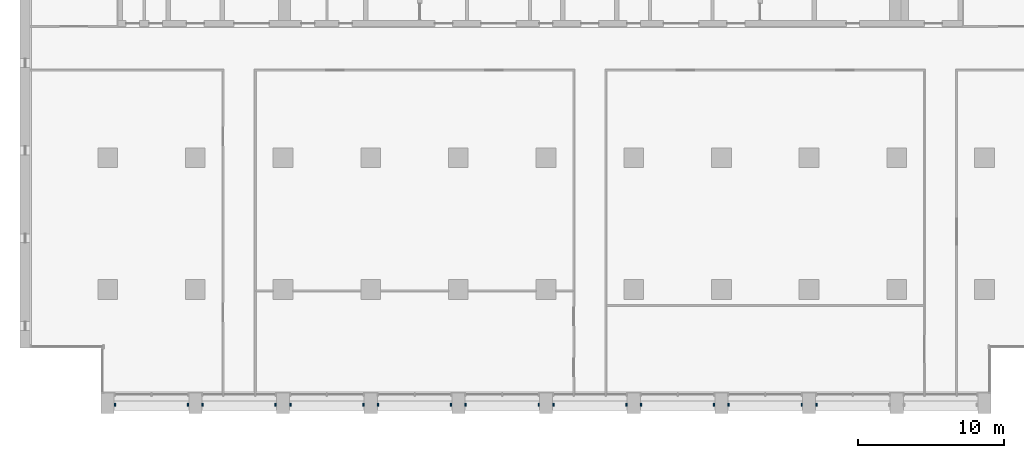
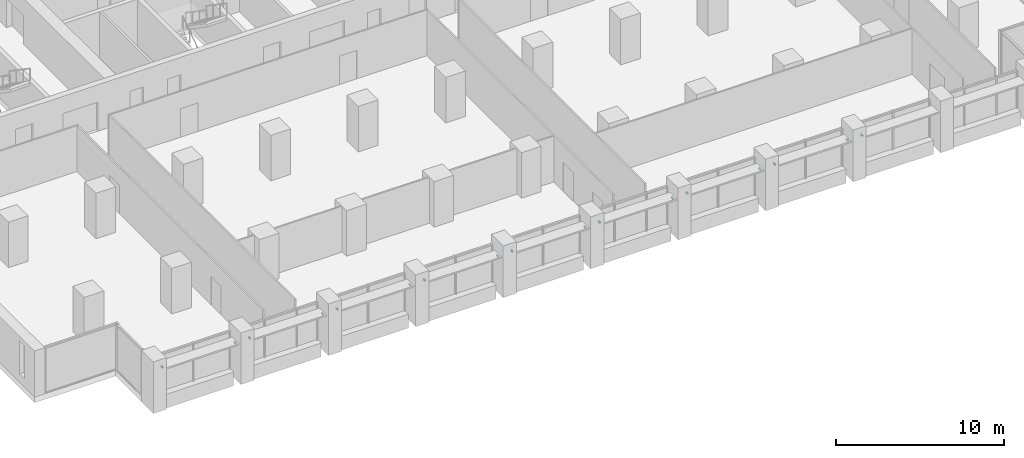
# One storey, part 13 of 15: 17 discrete accessories.
"""IFC4 building model written with IfcOpenShell, lengths in metres."""

import ifcopenshell
import ifcopenshell.guid

model = None  # the IFC model being written
_history = None  # IfcOwnerHistory: only IFC2X3 demands one
_inside = {}  # id of a spatial element -> (the spatial element, [elements in it])
_under = {}  # id of a project, library or spatial element -> (it, [spatial elements below it])
_declared = {}  # id of a project -> (the project, [libraries it declares])
_typed = {}  # id of a type object -> (the type object, [elements of that type])
_made_of = {}  # id of a material, layer set ... -> (it, [elements and type objects made of it])


def new_model(schema):
    """Start an empty IFC model of exactly this schema.

    Asked for "IFC4X3", IfcOpenShell would pick the latest addendum, in which some entities
    have other attributes; the version numbers below select the first issue.
    IFC2X3 requires an IfcOwnerHistory on every rooted entity: one is made here for all.
    """
    global model, _history
    if schema == "IFC4X3":
        model = ifcopenshell.file(schema_version=(4, 3, 0, 0))
    else:
        model = ifcopenshell.file(schema=schema)
    _inside.clear()
    _under.clear()
    _declared.clear()
    _typed.clear()
    _made_of.clear()
    _history = None
    if model.schema == "IFC2X3":
        org = make("IfcOrganization", Name="unknown")
        user = make(
            "IfcPersonAndOrganization",
            ThePerson=make("IfcPerson", FamilyName="unknown"),
            TheOrganization=org,
        )
        app = make(
            "IfcApplication",
            ApplicationDeveloper=org,
            Version="unknown",
            ApplicationFullName="unknown",
            ApplicationIdentifier="unknown",
        )
        _history = make(
            "IfcOwnerHistory",
            OwningUser=user,
            OwningApplication=app,
            ChangeAction="ADDED",
            CreationDate=0,
        )
    return model


def make(cls, **values):
    """One entity of the class cls with the attributes given. An attribute that is None is left unset."""
    return model.create_entity(
        cls, **{name: value for name, value in values.items() if value is not None}
    )


def rooted(cls, **values):
    """An entity with a GlobalId (a new one), such as an element, a storey or a relation."""
    return make(cls, GlobalId=ifcopenshell.guid.new(), OwnerHistory=_history, **values)


def si_unit(unit_type, name, prefix=None):
    """IfcSIUnit, for example si_unit("LENGTHUNIT", "METRE", prefix="MILLI")."""
    return make("IfcSIUnit", UnitType=unit_type, Prefix=prefix, Name=name)


def assignment(units):
    """IfcUnitAssignment: the units of a project."""
    return None if units is None else make("IfcUnitAssignment", Units=units)


def point(xyz):
    """IfcCartesianPoint."""
    return None if xyz is None else make("IfcCartesianPoint", Coordinates=xyz)


def direction(xyz):
    """IfcDirection."""
    return None if xyz is None else make("IfcDirection", DirectionRatios=xyz)


def frame(location, z_axis=None, x_axis=None):
    """IfcAxis2Placement3D, a coordinate frame: its origin and axes. An axis left out is left unset."""
    return make(
        "IfcAxis2Placement3D",
        Location=point(location),
        Axis=direction(z_axis),
        RefDirection=direction(x_axis),
    )


def frame_2d(location, x_axis=None):
    """IfcAxis2Placement2D, a coordinate frame in the plane: its origin and x axis."""
    return make(
        "IfcAxis2Placement2D", Location=point(location), RefDirection=direction(x_axis)
    )


def origin():
    """The frame at (0, 0, 0) with its axes left unset."""
    return frame((0.0, 0.0, 0.0))


def origin_2d():
    """The frame at (0, 0) in the plane with its x axis left unset."""
    return frame_2d((0.0, 0.0))


def place(relative_to, where):
    """IfcLocalPlacement: puts the frame where relative to a parent placement (None: the world)."""
    return make(
        "IfcLocalPlacement", PlacementRelTo=relative_to, RelativePlacement=where
    )


def context(
    kind, dimensions, precision=None, world=None, true_north=None, identifier=None
):
    """IfcGeometricRepresentationContext, for example the 3D "Model" context."""
    return make(
        "IfcGeometricRepresentationContext",
        ContextIdentifier=identifier,
        ContextType=kind,
        CoordinateSpaceDimension=dimensions,
        Precision=precision,
        WorldCoordinateSystem=world,
        TrueNorth=true_north,
    )


def subcontext(parent, identifier, kind, view, scale=None):
    """IfcGeometricRepresentationSubContext, for example "Body" below "Model"."""
    return make(
        "IfcGeometricRepresentationSubContext",
        ContextIdentifier=identifier,
        ContextType=kind,
        ParentContext=parent,
        TargetScale=scale,
        TargetView=view,
    )


def project(units=None, contexts=None):
    """IfcProject with its units and contexts."""
    return rooted(
        "IfcProject",
        Name="project",
        RepresentationContexts=contexts,
        UnitsInContext=assignment(units),
    )


def spatial(cls, under=None, at=None, **own):
    """A site, building, storey or space (cls), placed at a placement, below another one or the project."""
    s = rooted(cls, ObjectPlacement=at, **own)
    if under is not None:
        _under.setdefault(under.id(), (under, []))[1].append(s)
    return s


def profile(cls, at=None, kind="AREA", **sizes):
    """A parametric profile (cls). Its sizes go by their IFC names, for example OverallWidth=200.0."""
    return make(cls, ProfileType=kind, Position=at, **sizes)


def rectangle(**sizes):
    """IfcRectangleProfileDef."""
    return profile("IfcRectangleProfileDef", **sizes)


def extrude(swept, where, along, depth):
    """IfcExtrudedAreaSolid: the profile swept, set in the frame where, extruded along a direction by depth."""
    return make(
        "IfcExtrudedAreaSolid",
        SweptArea=swept,
        Position=where,
        ExtrudedDirection=direction(along),
        Depth=depth,
    )


def shape(context_of_items, identifier, shape_type, items):
    """IfcShapeRepresentation: the items that make up one representation, for example the "Body"."""
    return make(
        "IfcShapeRepresentation",
        ContextOfItems=context_of_items,
        RepresentationIdentifier=identifier,
        RepresentationType=shape_type,
        Items=items,
    )


def made_of(thing, what):
    """Note that an element or type object is made of a material, layer set ...; save() writes the relation."""
    if what is not None:
        _made_of.setdefault(what.id(), (what, []))[1].append(thing)
    return thing


def element(
    cls,
    number,
    at=None,
    inside=None,
    cuts=None,
    type_object=None,
    material=None,
    context=None,
    identifier="Body",
    shape_type=None,
    held_by="IfcProductDefinitionShape",
    body=None,
    shapes=None,
    **own,
):
    """One element of the class cls, such as IfcWall. Its Tag is "e" and its number.

    at: its placement. inside: the storey or other place that contains it. cuts: it is an
    opening in that element (IfcRelVoidsElement). A single representation is given by context,
    identifier, shape_type and body (its items); several are given by shapes. held_by: the class
    of the entity that holds the representations. save() writes the other relations.
    """
    e = rooted(cls, Tag="e%d" % number, ObjectPlacement=at, **own)
    if body is not None:
        shapes = [shape(context, identifier, shape_type, body)]
    if shapes is not None:
        e.Representation = make(held_by, Representations=shapes)
    if inside is not None:
        _inside.setdefault(inside.id(), (inside, []))[1].append(e)
    if cuts is not None:
        rooted(
            "IfcRelVoidsElement", RelatingBuildingElement=cuts, RelatedOpeningElement=e
        )
    if type_object is not None:
        _typed.setdefault(type_object.id(), (type_object, []))[1].append(e)
    return made_of(e, material)


def aggregate(whole, parts):
    """IfcRelAggregates: a whole, such as a stair, and the parts it consists of."""
    return rooted("IfcRelAggregates", RelatingObject=whole, RelatedObjects=parts)


def save(model, path):
    """Write the relations noted so far, then the file.

    IfcRelAggregates (storeys below a building ...), IfcRelContainedInSpatialStructure (elements
    in a storey), IfcRelDefinesByType, IfcRelAssociatesMaterial and IfcRelDeclares: one each for
    every whole, place, type object, material and project.
    """
    for whole, parts in _under.values():
        aggregate(whole, parts)
    for where, things in _inside.values():
        rooted(
            "IfcRelContainedInSpatialStructure",
            RelatedElements=things,
            RelatingStructure=where,
        )
    for kind, things in _typed.values():
        rooted("IfcRelDefinesByType", RelatedObjects=things, RelatingType=kind)
    for what, things in _made_of.values():
        rooted("IfcRelAssociatesMaterial", RelatedObjects=things, RelatingMaterial=what)
    for by, libraries in _declared.values():
        rooted("IfcRelDeclares", RelatingContext=by, RelatedDefinitions=libraries)
    model.write(path)


model = new_model("IFC4")

# Units and contexts
model_context = context("Model", 3, precision=1e-05, world=origin(), true_north=direction((0.0, 1.0)))
body_context = subcontext(model_context, "Body", "Model", "MODEL_VIEW")
ifc_project = project(units=[si_unit("LENGTHUNIT", "METRE"), si_unit("AREAUNIT", "SQUARE_METRE"), si_unit("VOLUMEUNIT", "CUBIC_METRE"), si_unit("PLANEANGLEUNIT", "RADIAN"), si_unit("MASSUNIT", "GRAM", prefix="KILO")], contexts=[model_context])

# Site, building, storey
site_placement = place(None, origin())
site = spatial("IfcSite", under=ifc_project, at=site_placement, CompositionType="ELEMENT")
building_placement = place(site_placement, origin())
building = spatial("IfcBuilding", under=site, at=building_placement, Name="Calvaro Tower", CompositionType="ELEMENT")
storey_placement = place(building_placement, frame((0.0, 0.0, 117.5)))
storey = spatial("IfcBuildingStorey", under=building, at=storey_placement, Name="L29", CompositionType="ELEMENT", Elevation=117.5)

# Discrete accessories
for number, where, z_axis, x_axis, name in (
    (1, (6.5, 2.10009765625, 2.25), (0.0, 0.0, 1.0), (1.0, 0.0, 0.0), "Brise-soleil bracket"),
    (2, (11.5, 2.10009765625, 2.25), (0.0, 0.0, 1.0), (1.0, 0.0, 0.0), "Brise-soleil bracket"),
    (3, (12.5, 2.10009765625, 2.25), (0.0, 0.0, 1.0), (1.0, 0.0, 0.0), "Brise-soleil bracket"),
    (4, (17.5, 2.10009765625, 2.25), (0.0, 0.0, 1.0), (1.0, 0.0, 0.0), "Brise-soleil bracket"),
    (5, (18.5, 2.10009765625, 2.25), (0.0, 0.0, 1.0), (1.0, 0.0, 0.0), "Brise-soleil bracket"),
    (6, (23.5, 2.10009765625, 2.25), (0.0, 0.0, 1.0), (1.0, 0.0, 0.0), "Brise-soleil bracket"),
    (7, (24.5, 2.10009765625, 2.25), (0.0, 0.0, 1.0), (1.0, 0.0, 0.0), "Brise-soleil bracket"),
    (8, (29.5, 2.10009765625, 2.25), (0.0, 0.0, 1.0), (1.0, 0.0, 0.0), "Brise-soleil bracket"),
    (9, (30.5, 2.10009765625, 2.25), (0.0, 0.0, 1.0), (1.0, 0.0, 0.0), "Brise-soleil bracket"),
    (10, (35.5, 2.10009765625, 2.25), (0.0, 0.0, 1.0), (1.0, 0.0, 0.0), "Brise-soleil bracket"),
    (11, (36.5, 2.10009765625, 2.25), (0.0, 0.0, 1.0), (1.0, 0.0, 0.0), "Brise-soleil bracket"),
    (12, (41.5, 2.10009765625, 2.25), (0.0, 0.0, 1.0), (1.0, 0.0, 0.0), "Brise-soleil bracket"),
    (13, (42.5, 2.10009765625, 2.25), (0.0, 0.0, 1.0), (1.0, 0.0, 0.0), "Brise-soleil bracket"),
    (14, (47.5, 2.10009765625, 2.25), (0.0, 0.0, 1.0), (1.0, 0.0, 0.0), "Brise-soleil bracket"),
    (15, (48.5, 2.10009765625, 2.25), (0.0, 0.0, 1.0), (1.0, 0.0, 0.0), "Brise-soleil bracket"),
    (16, (53.5, 2.10009765625, 2.25), (0.0, 0.0, 1.0), (1.0, 0.0, 0.0), "Brise-soleil bracket"),
    (17, (54.5, 2.10009765625, 2.25), (0.0, 0.0, 1.0), (1.0, 0.0, 0.0), "Brise-soleil bracket"),
):
    element("IfcDiscreteAccessory", number, at=place(storey_placement, frame(where, z_axis=z_axis, x_axis=x_axis)), inside=storey, Name=name, PredefinedType="BRACKET", context=body_context, shape_type="SweptSolid", body=[
        extrude(rectangle(XDim=0.10009765625, YDim=0.199951171875, at=origin_2d()), origin(), (0.0, 0.0, 1.0), 0.10009765625),
    ])

save(model, "model.ifc")
